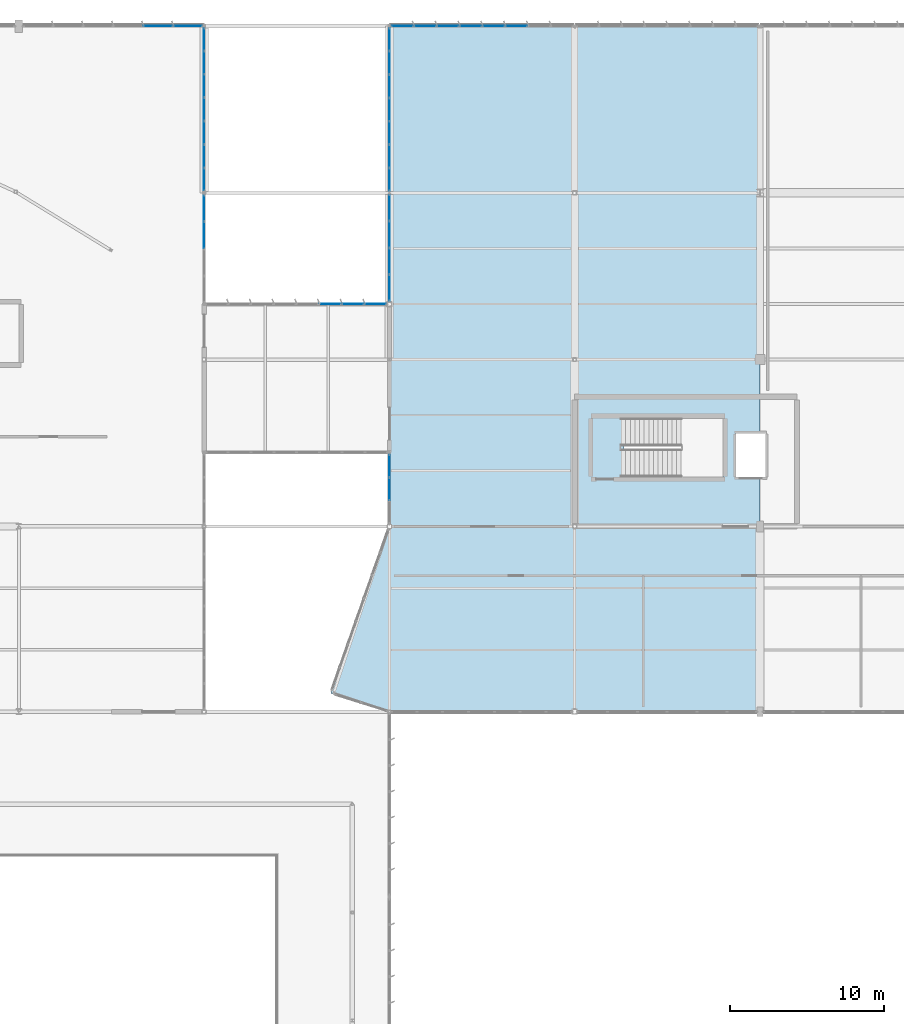
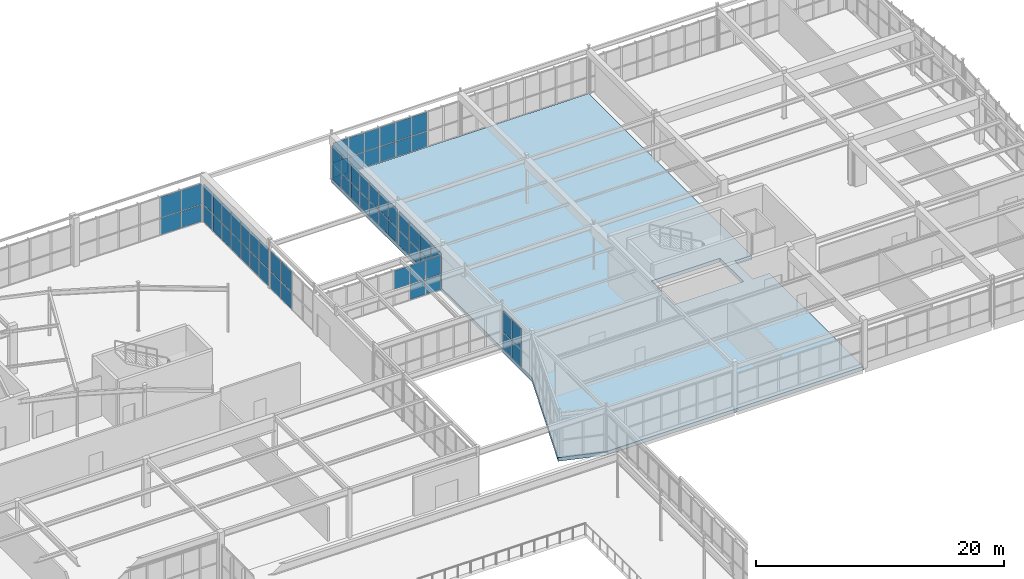
# One storey, part 126 of 186: 65 plates, 1 slab, 8 elements without a shape of their own.
"""IFC4 building model written with IfcOpenShell, lengths in metres."""

import ifcopenshell
import ifcopenshell.guid

model = None  # the IFC model being written
_history = None  # IfcOwnerHistory: only IFC2X3 demands one
_inside = {}  # id of a spatial element -> (the spatial element, [elements in it])
_under = {}  # id of a project, library or spatial element -> (it, [spatial elements below it])
_declared = {}  # id of a project -> (the project, [libraries it declares])
_typed = {}  # id of a type object -> (the type object, [elements of that type])
_made_of = {}  # id of a material, layer set ... -> (it, [elements and type objects made of it])


def new_model(schema):
    """Start an empty IFC model of exactly this schema.

    Asked for "IFC4X3", IfcOpenShell would pick the latest addendum, in which some entities
    have other attributes; the version numbers below select the first issue.
    IFC2X3 requires an IfcOwnerHistory on every rooted entity: one is made here for all.
    """
    global model, _history
    if schema == "IFC4X3":
        model = ifcopenshell.file(schema_version=(4, 3, 0, 0))
    else:
        model = ifcopenshell.file(schema=schema)
    _inside.clear()
    _under.clear()
    _declared.clear()
    _typed.clear()
    _made_of.clear()
    _history = None
    if model.schema == "IFC2X3":
        org = make("IfcOrganization", Name="unknown")
        user = make(
            "IfcPersonAndOrganization",
            ThePerson=make("IfcPerson", FamilyName="unknown"),
            TheOrganization=org,
        )
        app = make(
            "IfcApplication",
            ApplicationDeveloper=org,
            Version="unknown",
            ApplicationFullName="unknown",
            ApplicationIdentifier="unknown",
        )
        _history = make(
            "IfcOwnerHistory",
            OwningUser=user,
            OwningApplication=app,
            ChangeAction="ADDED",
            CreationDate=0,
        )
    return model


def make(cls, **values):
    """One entity of the class cls with the attributes given. An attribute that is None is left unset."""
    return model.create_entity(
        cls, **{name: value for name, value in values.items() if value is not None}
    )


def rooted(cls, **values):
    """An entity with a GlobalId (a new one), such as an element, a storey or a relation."""
    return make(cls, GlobalId=ifcopenshell.guid.new(), OwnerHistory=_history, **values)


def si_unit(unit_type, name, prefix=None):
    """IfcSIUnit, for example si_unit("LENGTHUNIT", "METRE", prefix="MILLI")."""
    return make("IfcSIUnit", UnitType=unit_type, Prefix=prefix, Name=name)


def assignment(units):
    """IfcUnitAssignment: the units of a project."""
    return None if units is None else make("IfcUnitAssignment", Units=units)


def point(xyz):
    """IfcCartesianPoint."""
    return None if xyz is None else make("IfcCartesianPoint", Coordinates=xyz)


def direction(xyz):
    """IfcDirection."""
    return None if xyz is None else make("IfcDirection", DirectionRatios=xyz)


def frame(location, z_axis=None, x_axis=None):
    """IfcAxis2Placement3D, a coordinate frame: its origin and axes. An axis left out is left unset."""
    return make(
        "IfcAxis2Placement3D",
        Location=point(location),
        Axis=direction(z_axis),
        RefDirection=direction(x_axis),
    )


def frame_2d(location, x_axis=None):
    """IfcAxis2Placement2D, a coordinate frame in the plane: its origin and x axis."""
    return make(
        "IfcAxis2Placement2D", Location=point(location), RefDirection=direction(x_axis)
    )


def origin():
    """The frame at (0, 0, 0) with its axes left unset."""
    return frame((0.0, 0.0, 0.0))


def origin_2d():
    """The frame at (0, 0) in the plane with its x axis left unset."""
    return frame_2d((0.0, 0.0))


def place(relative_to, where):
    """IfcLocalPlacement: puts the frame where relative to a parent placement (None: the world)."""
    return make(
        "IfcLocalPlacement", PlacementRelTo=relative_to, RelativePlacement=where
    )


def context(
    kind, dimensions, precision=None, world=None, true_north=None, identifier=None
):
    """IfcGeometricRepresentationContext, for example the 3D "Model" context."""
    return make(
        "IfcGeometricRepresentationContext",
        ContextIdentifier=identifier,
        ContextType=kind,
        CoordinateSpaceDimension=dimensions,
        Precision=precision,
        WorldCoordinateSystem=world,
        TrueNorth=true_north,
    )


def subcontext(parent, identifier, kind, view, scale=None):
    """IfcGeometricRepresentationSubContext, for example "Body" below "Model"."""
    return make(
        "IfcGeometricRepresentationSubContext",
        ContextIdentifier=identifier,
        ContextType=kind,
        ParentContext=parent,
        TargetScale=scale,
        TargetView=view,
    )


def project(units=None, contexts=None):
    """IfcProject with its units and contexts."""
    return rooted(
        "IfcProject",
        Name="project",
        RepresentationContexts=contexts,
        UnitsInContext=assignment(units),
    )


def spatial(cls, under=None, at=None, **own):
    """A site, building, storey or space (cls), placed at a placement, below another one or the project."""
    s = rooted(cls, ObjectPlacement=at, **own)
    if under is not None:
        _under.setdefault(under.id(), (under, []))[1].append(s)
    return s


def polyline(points):
    """IfcPolyline through the points."""
    return make("IfcPolyline", Points=[point(p) for p in points])


def profile(cls, at=None, kind="AREA", **sizes):
    """A parametric profile (cls). Its sizes go by their IFC names, for example OverallWidth=200.0."""
    return make(cls, ProfileType=kind, Position=at, **sizes)


def rectangle(**sizes):
    """IfcRectangleProfileDef."""
    return profile("IfcRectangleProfileDef", **sizes)


def outline(outer, holes=None, kind="AREA"):
    """IfcArbitraryClosedProfileDef: a profile drawn as a closed curve; with holes, ...WithVoids."""
    if holes is None:
        return make("IfcArbitraryClosedProfileDef", ProfileType=kind, OuterCurve=outer)
    return make(
        "IfcArbitraryProfileDefWithVoids",
        ProfileType=kind,
        OuterCurve=outer,
        InnerCurves=holes,
    )


def extrude(swept, where, along, depth):
    """IfcExtrudedAreaSolid: the profile swept, set in the frame where, extruded along a direction by depth."""
    return make(
        "IfcExtrudedAreaSolid",
        SweptArea=swept,
        Position=where,
        ExtrudedDirection=direction(along),
        Depth=depth,
    )


def shape(context_of_items, identifier, shape_type, items):
    """IfcShapeRepresentation: the items that make up one representation, for example the "Body"."""
    return make(
        "IfcShapeRepresentation",
        ContextOfItems=context_of_items,
        RepresentationIdentifier=identifier,
        RepresentationType=shape_type,
        Items=items,
    )


def material(Name=None, Category=None):
    """IfcMaterial."""
    return make("IfcMaterial", Name=Name, Category=Category)


def layer(
    of_material, thickness, ventilated=None, Name=None, Category=None, Priority=None
):
    """IfcMaterialLayer: one layer of a wall or slab, of a material (None: an air gap)."""
    return make(
        "IfcMaterialLayer",
        Material=of_material,
        LayerThickness=thickness,
        IsVentilated=ventilated,
        Name=Name,
        Category=Category,
        Priority=Priority,
    )


def layer_set(layers, Name=None):
    """IfcMaterialLayerSet."""
    return make("IfcMaterialLayerSet", MaterialLayers=layers, LayerSetName=Name)


def made_of(thing, what):
    """Note that an element or type object is made of a material, layer set ...; save() writes the relation."""
    if what is not None:
        _made_of.setdefault(what.id(), (what, []))[1].append(thing)
    return thing


def type_object(cls, material=None, **own):
    """A type object (cls), such as IfcWallType, which elements share."""
    return made_of(rooted(cls, **own), material)


def element(
    cls,
    number,
    at=None,
    inside=None,
    cuts=None,
    type_object=None,
    material=None,
    context=None,
    identifier="Body",
    shape_type=None,
    held_by="IfcProductDefinitionShape",
    body=None,
    shapes=None,
    **own,
):
    """One element of the class cls, such as IfcWall. Its Tag is "e" and its number.

    at: its placement. inside: the storey or other place that contains it. cuts: it is an
    opening in that element (IfcRelVoidsElement). A single representation is given by context,
    identifier, shape_type and body (its items); several are given by shapes. held_by: the class
    of the entity that holds the representations. save() writes the other relations.
    """
    e = rooted(cls, Tag="e%d" % number, ObjectPlacement=at, **own)
    if body is not None:
        shapes = [shape(context, identifier, shape_type, body)]
    if shapes is not None:
        e.Representation = make(held_by, Representations=shapes)
    if inside is not None:
        _inside.setdefault(inside.id(), (inside, []))[1].append(e)
    if cuts is not None:
        rooted(
            "IfcRelVoidsElement", RelatingBuildingElement=cuts, RelatedOpeningElement=e
        )
    if type_object is not None:
        _typed.setdefault(type_object.id(), (type_object, []))[1].append(e)
    return made_of(e, material)


def aggregate(whole, parts):
    """IfcRelAggregates: a whole, such as a stair, and the parts it consists of."""
    return rooted("IfcRelAggregates", RelatingObject=whole, RelatedObjects=parts)


def save(model, path):
    """Write the relations noted so far, then the file.

    IfcRelAggregates (storeys below a building ...), IfcRelContainedInSpatialStructure (elements
    in a storey), IfcRelDefinesByType, IfcRelAssociatesMaterial and IfcRelDeclares: one each for
    every whole, place, type object, material and project.
    """
    for whole, parts in _under.values():
        aggregate(whole, parts)
    for where, things in _inside.values():
        rooted(
            "IfcRelContainedInSpatialStructure",
            RelatedElements=things,
            RelatingStructure=where,
        )
    for kind, things in _typed.values():
        rooted("IfcRelDefinesByType", RelatedObjects=things, RelatingType=kind)
    for what, things in _made_of.values():
        rooted("IfcRelAssociatesMaterial", RelatedObjects=things, RelatingMaterial=what)
    for by, libraries in _declared.values():
        rooted("IfcRelDeclares", RelatingContext=by, RelatedDefinitions=libraries)
    model.write(path)


model = new_model("IFC4")

# Units and contexts
model_context = context("Model", 3, precision=1e-05, world=origin(), true_north=direction((0.0, 1.0)))
body_context = subcontext(model_context, "Body", "Model", "MODEL_VIEW")
ifc_project = project(units=[si_unit("LENGTHUNIT", "METRE"), si_unit("AREAUNIT", "SQUARE_METRE"), si_unit("VOLUMEUNIT", "CUBIC_METRE"), si_unit("PLANEANGLEUNIT", "RADIAN"), si_unit("MASSUNIT", "GRAM", prefix="KILO")], contexts=[model_context])

# Site, building, storey
site_placement = place(None, origin())
site = spatial("IfcSite", under=ifc_project, at=site_placement, CompositionType="ELEMENT")
building_placement = place(site_placement, origin())
building = spatial("IfcBuilding", under=site, at=building_placement, Name="Tarnwether General Hospital", CompositionType="ELEMENT")
storey_placement = place(building_placement, frame((0.0, 0.0, 9.60009765625)))
storey = spatial("IfcBuildingStorey", under=building, at=storey_placement, Name="L02", CompositionType="ELEMENT", Elevation=9.60009765625)

# Curtain wall, plates
ifc_material_1 = material(Name="Anodised aluminium", Category="aluminium")
ifc_layer_1 = layer(ifc_material_1, 0.159912109375)
ifc_layer_set_1 = layer_set([ifc_layer_1], Name="Anodised aluminium")
curtain_wall_type_1 = type_object("IfcCurtainWallType", Name="CW-17", PredefinedType="NOTDEFINED", material=ifc_layer_set_1)
curtain_wall_1_placement = place(storey_placement, origin())
curtain_wall_1 = element("IfcCurtainWall", 1, at=curtain_wall_1_placement, inside=storey, type_object=curtain_wall_type_1, Name="Curtain Wall CWG-L02-1203_1260-0408", PredefinedType="NOTDEFINED")
ifc_material_2 = material(Name="Double glazed low-E glass", Category="glass")
ifc_layer_2 = layer(ifc_material_2, 0.028076171875)
ifc_layer_set_2 = layer_set([ifc_layer_2], Name="Double glazed low-E glass")
plate_type = type_object("IfcPlateType", Name="PT-CWP1", PredefinedType="CURTAIN_PANEL", material=ifc_layer_set_2)
plate_1_placement = place(storey_placement, frame((129.002197265625, 126.0, 0.059814453125), z_axis=(0.0, 0.0, 1.0), x_axis=(1.0, 0.0, 0.0)))
plate_1 = element("IfcPlate", 2, at=plate_1_placement, type_object=plate_type, Name="CW-17 panel 5.1", PredefinedType="CURTAIN_PANEL", context=body_context, shape_type="SweptSolid", body=[
    extrude(rectangle(XDim=1.883056640625, YDim=0.028076171875, at=origin_2d()), origin(), (0.0, 0.0, 1.0), 1.6357421875),
])
plate_2_placement = place(storey_placement, frame((129.002197265625, 126.0, 1.75537109375), z_axis=(0.0, 0.0, 1.0), x_axis=(1.0, 0.0, 0.0)))
plate_2 = element("IfcPlate", 3, at=plate_2_placement, type_object=plate_type, Name="CW-17 panel 5.2", PredefinedType="CURTAIN_PANEL", context=body_context, shape_type="SweptSolid", body=[
    extrude(rectangle(XDim=1.883056640625, YDim=0.028076171875, at=origin_2d()), origin(), (0.0, 0.0, 1.0), 2.019287109375),
])
plate_3_placement = place(storey_placement, frame((130.930419921875, 126.0, 0.059814453125), z_axis=(0.0, 0.0, 1.0), x_axis=(1.0, 0.0, 0.0)))
plate_3 = element("IfcPlate", 4, at=plate_3_placement, type_object=plate_type, Name="CW-17 panel 6.1", PredefinedType="CURTAIN_PANEL", context=body_context, shape_type="SweptSolid", body=[
    extrude(rectangle(XDim=1.853271484375, YDim=0.028076171875, at=origin_2d()), origin(), (0.0, 0.0, 1.0), 1.6357421875),
])
plate_4_placement = place(storey_placement, frame((130.930419921875, 126.0, 1.75537109375), z_axis=(0.0, 0.0, 1.0), x_axis=(1.0, 0.0, 0.0)))
plate_4 = element("IfcPlate", 5, at=plate_4_placement, type_object=plate_type, Name="CW-17 panel 6.2", PredefinedType="CURTAIN_PANEL", context=body_context, shape_type="SweptSolid", body=[
    extrude(rectangle(XDim=1.853271484375, YDim=0.028076171875, at=origin_2d()), origin(), (0.0, 0.0, 1.0), 2.019287109375),
])
aggregate(curtain_wall_1, [plate_1, plate_2, plate_3, plate_4])

ifc_material_3 = material(Name="Anodised aluminium", Category="aluminium")
ifc_layer_3 = layer(ifc_material_3, 0.159912109375)
ifc_layer_set_3 = layer_set([ifc_layer_3], Name="Anodised aluminium")
curtain_wall_type_2 = type_object("IfcCurtainWallType", Name="CW-15", PredefinedType="NOTDEFINED", material=ifc_layer_set_3)
curtain_wall_2_placement = place(storey_placement, origin())
curtain_wall_2 = element("IfcCurtainWall", 6, at=curtain_wall_2_placement, inside=storey, type_object=curtain_wall_type_2, Name="Curtain Wall CWG-L02-1440_938-0447", PredefinedType="NOTDEFINED")
plate_5_placement = place(storey_placement, frame((144.0, 96.0224609375, 0.059814453125), z_axis=(0.0, 0.0, 1.0), x_axis=(0.0, 1.0, 0.0)))
plate_5 = element("IfcPlate", 7, at=plate_5_placement, type_object=plate_type, Name="CW-15 panel 2.1", PredefinedType="CURTAIN_PANEL", context=body_context, shape_type="SweptSolid", body=[
    extrude(rectangle(XDim=1.44970703125, YDim=0.028076171875, at=origin_2d()), origin(), (0.0, 0.0, 1.0), 1.6484375),
])
plate_6_placement = place(storey_placement, frame((144.0, 96.0224609375, 1.768310546875), z_axis=(0.0, 0.0, 1.0), x_axis=(0.0, 1.0, 0.0)))
plate_6 = element("IfcPlate", 8, at=plate_6_placement, type_object=plate_type, Name="CW-15 panel 2.2", PredefinedType="CURTAIN_PANEL", context=body_context, shape_type="SweptSolid", body=[
    extrude(rectangle(XDim=1.44970703125, YDim=0.028076171875, at=origin_2d()), origin(), (0.0, 0.0, 1.0), 2.03466796875),
])
plate_7_placement = place(storey_placement, frame((144.0, 97.51708984375, 0.059814453125), z_axis=(0.0, 0.0, 1.0), x_axis=(0.0, 1.0, 0.0)))
plate_7 = element("IfcPlate", 9, at=plate_7_placement, type_object=plate_type, Name="CW-15 panel 3.1", PredefinedType="CURTAIN_PANEL", context=body_context, shape_type="SweptSolid", body=[
    extrude(rectangle(XDim=1.419677734375, YDim=0.028076171875, at=origin_2d()), origin(), (0.0, 0.0, 1.0), 1.6484375),
])
plate_8_placement = place(storey_placement, frame((144.0, 97.51708984375, 1.768310546875), z_axis=(0.0, 0.0, 1.0), x_axis=(0.0, 1.0, 0.0)))
plate_8 = element("IfcPlate", 10, at=plate_8_placement, type_object=plate_type, Name="CW-15 panel 3.2", PredefinedType="CURTAIN_PANEL", context=body_context, shape_type="SweptSolid", body=[
    extrude(rectangle(XDim=1.419677734375, YDim=0.028076171875, at=origin_2d()), origin(), (0.0, 0.0, 1.0), 2.03466796875),
])
aggregate(curtain_wall_2, [plate_5, plate_6, plate_7, plate_8])

curtain_wall_3_placement = place(storey_placement, origin())
curtain_wall_3 = element("IfcCurtainWall", 11, at=curtain_wall_3_placement, inside=storey, type_object=curtain_wall_type_2, Name="Curtain Wall CWG-L02-1320_1259-0448", PredefinedType="NOTDEFINED")
plate_9_placement = place(storey_placement, frame((132.0, 125.144287109375, 0.059814453125), z_axis=(0.0, 0.0, 1.0), x_axis=(0.0, -1.0, 0.0)))
plate_9 = element("IfcPlate", 12, at=plate_9_placement, type_object=plate_type, Name="CW-15 panel 1.1", PredefinedType="CURTAIN_PANEL", context=body_context, shape_type="SweptSolid", body=[
    extrude(rectangle(XDim=1.425537109375, YDim=0.028076171875, at=origin_2d()), origin(), (0.0, 0.0, 1.0), 1.6357421875),
])
plate_10_placement = place(storey_placement, frame((132.0, 125.144287109375, 1.75537109375), z_axis=(0.0, 0.0, 1.0), x_axis=(0.0, -1.0, 0.0)))
plate_10 = element("IfcPlate", 13, at=plate_10_placement, type_object=plate_type, Name="CW-15 panel 1.2", PredefinedType="CURTAIN_PANEL", context=body_context, shape_type="SweptSolid", body=[
    extrude(rectangle(XDim=1.425537109375, YDim=0.028076171875, at=origin_2d()), origin(), (0.0, 0.0, 1.0), 2.019287109375),
])
plate_11_placement = place(storey_placement, frame((132.0, 123.6435546875, 0.059814453125), z_axis=(0.0, 0.0, 1.0), x_axis=(0.0, -1.0, 0.0)))
plate_11 = element("IfcPlate", 14, at=plate_11_placement, type_object=plate_type, Name="CW-15 panel 2.1", PredefinedType="CURTAIN_PANEL", context=body_context, shape_type="SweptSolid", body=[
    extrude(rectangle(XDim=1.45556640625, YDim=0.028076171875, at=origin_2d()), origin(), (0.0, 0.0, 1.0), 1.6357421875),
])
plate_12_placement = place(storey_placement, frame((132.0, 123.6435546875, 1.75537109375), z_axis=(0.0, 0.0, 1.0), x_axis=(0.0, -1.0, 0.0)))
plate_12 = element("IfcPlate", 15, at=plate_12_placement, type_object=plate_type, Name="CW-15 panel 2.2", PredefinedType="CURTAIN_PANEL", context=body_context, shape_type="SweptSolid", body=[
    extrude(rectangle(XDim=1.45556640625, YDim=0.028076171875, at=origin_2d()), origin(), (0.0, 0.0, 1.0), 2.019287109375),
])
plate_13_placement = place(storey_placement, frame((132.0, 122.128173828125, 0.059814453125), z_axis=(0.0, 0.0, 1.0), x_axis=(0.0, -1.0, 0.0)))
plate_13 = element("IfcPlate", 16, at=plate_13_placement, type_object=plate_type, Name="CW-15 panel 3.1", PredefinedType="CURTAIN_PANEL", context=body_context, shape_type="SweptSolid", body=[
    extrude(rectangle(XDim=1.45556640625, YDim=0.028076171875, at=origin_2d()), origin(), (0.0, 0.0, 1.0), 1.6357421875),
])
plate_14_placement = place(storey_placement, frame((132.0, 122.128173828125, 1.75537109375), z_axis=(0.0, 0.0, 1.0), x_axis=(0.0, -1.0, 0.0)))
plate_14 = element("IfcPlate", 17, at=plate_14_placement, type_object=plate_type, Name="CW-15 panel 3.2", PredefinedType="CURTAIN_PANEL", context=body_context, shape_type="SweptSolid", body=[
    extrude(rectangle(XDim=1.45556640625, YDim=0.028076171875, at=origin_2d()), origin(), (0.0, 0.0, 1.0), 2.019287109375),
])
plate_15_placement = place(storey_placement, frame((132.0, 120.612548828125, 0.059814453125), z_axis=(0.0, 0.0, 1.0), x_axis=(0.0, -1.0, 0.0)))
plate_15 = element("IfcPlate", 18, at=plate_15_placement, type_object=plate_type, Name="CW-15 panel 4.1", PredefinedType="CURTAIN_PANEL", context=body_context, shape_type="SweptSolid", body=[
    extrude(rectangle(XDim=1.45556640625, YDim=0.028076171875, at=origin_2d()), origin(), (0.0, 0.0, 1.0), 1.6357421875),
])
plate_16_placement = place(storey_placement, frame((132.0, 120.612548828125, 1.75537109375), z_axis=(0.0, 0.0, 1.0), x_axis=(0.0, -1.0, 0.0)))
plate_16 = element("IfcPlate", 19, at=plate_16_placement, type_object=plate_type, Name="CW-15 panel 4.2", PredefinedType="CURTAIN_PANEL", context=body_context, shape_type="SweptSolid", body=[
    extrude(rectangle(XDim=1.45556640625, YDim=0.028076171875, at=origin_2d()), origin(), (0.0, 0.0, 1.0), 2.019287109375),
])
plate_17_placement = place(storey_placement, frame((132.0, 119.096923828125, 0.059814453125), z_axis=(0.0, 0.0, 1.0), x_axis=(0.0, -1.0, 0.0)))
plate_17 = element("IfcPlate", 20, at=plate_17_placement, type_object=plate_type, Name="CW-15 panel 5.1", PredefinedType="CURTAIN_PANEL", context=body_context, shape_type="SweptSolid", body=[
    extrude(rectangle(XDim=1.45556640625, YDim=0.028076171875, at=origin_2d()), origin(), (0.0, 0.0, 1.0), 1.6357421875),
])
plate_18_placement = place(storey_placement, frame((132.0, 119.096923828125, 1.75537109375), z_axis=(0.0, 0.0, 1.0), x_axis=(0.0, -1.0, 0.0)))
plate_18 = element("IfcPlate", 21, at=plate_18_placement, type_object=plate_type, Name="CW-15 panel 5.2", PredefinedType="CURTAIN_PANEL", context=body_context, shape_type="SweptSolid", body=[
    extrude(rectangle(XDim=1.45556640625, YDim=0.028076171875, at=origin_2d()), origin(), (0.0, 0.0, 1.0), 2.019287109375),
])
plate_19_placement = place(storey_placement, frame((132.0, 117.581298828125, 0.059814453125), z_axis=(0.0, 0.0, 1.0), x_axis=(0.0, -1.0, 0.0)))
plate_19 = element("IfcPlate", 22, at=plate_19_placement, type_object=plate_type, Name="CW-15 panel 6.1", PredefinedType="CURTAIN_PANEL", context=body_context, shape_type="SweptSolid", body=[
    extrude(rectangle(XDim=1.45556640625, YDim=0.028076171875, at=origin_2d()), origin(), (0.0, 0.0, 1.0), 1.6357421875),
])
plate_20_placement = place(storey_placement, frame((132.0, 117.581298828125, 1.75537109375), z_axis=(0.0, 0.0, 1.0), x_axis=(0.0, -1.0, 0.0)))
plate_20 = element("IfcPlate", 23, at=plate_20_placement, type_object=plate_type, Name="CW-15 panel 6.2", PredefinedType="CURTAIN_PANEL", context=body_context, shape_type="SweptSolid", body=[
    extrude(rectangle(XDim=1.45556640625, YDim=0.028076171875, at=origin_2d()), origin(), (0.0, 0.0, 1.0), 2.019287109375),
])
plate_21_placement = place(storey_placement, frame((132.0, 116.080810546875, 0.059814453125), z_axis=(0.0, 0.0, 1.0), x_axis=(0.0, -1.0, 0.0)))
plate_21 = element("IfcPlate", 24, at=plate_21_placement, type_object=plate_type, Name="CW-15 panel 7.1", PredefinedType="CURTAIN_PANEL", context=body_context, shape_type="SweptSolid", body=[
    extrude(rectangle(XDim=1.425537109375, YDim=0.028076171875, at=origin_2d()), origin(), (0.0, 0.0, 1.0), 1.6357421875),
])
plate_22_placement = place(storey_placement, frame((132.0, 116.080810546875, 1.75537109375), z_axis=(0.0, 0.0, 1.0), x_axis=(0.0, -1.0, 0.0)))
plate_22 = element("IfcPlate", 25, at=plate_22_placement, type_object=plate_type, Name="CW-15 panel 7.2", PredefinedType="CURTAIN_PANEL", context=body_context, shape_type="SweptSolid", body=[
    extrude(rectangle(XDim=1.425537109375, YDim=0.028076171875, at=origin_2d()), origin(), (0.0, 0.0, 1.0), 2.019287109375),
])
aggregate(curtain_wall_3, [plate_9, plate_10, plate_11, plate_12, plate_13, plate_14, plate_15, plate_16, plate_17, plate_18, plate_19, plate_20, plate_21, plate_22])

curtain_wall_4_placement = place(storey_placement, origin())
curtain_wall_4 = element("IfcCurtainWall", 26, at=curtain_wall_4_placement, inside=storey, type_object=curtain_wall_type_2, Name="Curtain Wall CWG-L02-1320_1151-0449", PredefinedType="NOTDEFINED")
plate_23_placement = place(storey_placement, frame((132.0, 114.19921875, 0.059814453125), z_axis=(0.0, 0.0, 1.0), x_axis=(0.0, -1.0, 0.0)))
plate_23 = element("IfcPlate", 27, at=plate_23_placement, type_object=plate_type, Name="CW-15 panel 1.1", PredefinedType="CURTAIN_PANEL", context=body_context, shape_type="SweptSolid", body=[
    extrude(rectangle(XDim=1.66552734375, YDim=0.028076171875, at=origin_2d()), origin(), (0.0, 0.0, 1.0), 1.6357421875),
])
plate_24_placement = place(storey_placement, frame((132.0, 114.19921875, 1.75537109375), z_axis=(0.0, 0.0, 1.0), x_axis=(0.0, -1.0, 0.0)))
plate_24 = element("IfcPlate", 28, at=plate_24_placement, type_object=plate_type, Name="CW-15 panel 1.2", PredefinedType="CURTAIN_PANEL", context=body_context, shape_type="SweptSolid", body=[
    extrude(rectangle(XDim=1.66552734375, YDim=0.028076171875, at=origin_2d()), origin(), (0.0, 0.0, 1.0), 2.019287109375),
])
plate_25_placement = place(storey_placement, frame((132.0, 112.458740234375, 0.059814453125), z_axis=(0.0, 0.0, 1.0), x_axis=(0.0, -1.0, 0.0)))
plate_25 = element("IfcPlate", 29, at=plate_25_placement, type_object=plate_type, Name="CW-15 panel 2.1", PredefinedType="CURTAIN_PANEL", context=body_context, shape_type="SweptSolid", body=[
    extrude(rectangle(XDim=1.695556640625, YDim=0.028076171875, at=origin_2d()), origin(), (0.0, 0.0, 1.0), 1.6357421875),
])
plate_26_placement = place(storey_placement, frame((132.0, 112.458740234375, 1.75537109375), z_axis=(0.0, 0.0, 1.0), x_axis=(0.0, -1.0, 0.0)))
plate_26 = element("IfcPlate", 30, at=plate_26_placement, type_object=plate_type, Name="CW-15 panel 2.2", PredefinedType="CURTAIN_PANEL", context=body_context, shape_type="SweptSolid", body=[
    extrude(rectangle(XDim=1.695556640625, YDim=0.028076171875, at=origin_2d()), origin(), (0.0, 0.0, 1.0), 2.019287109375),
])
aggregate(curtain_wall_4, [plate_23, plate_24, plate_25, plate_26])

curtain_wall_5_placement = place(storey_placement, origin())
curtain_wall_5 = element("IfcCurtainWall", 31, at=curtain_wall_5_placement, inside=storey, type_object=curtain_wall_type_2, Name="Curtain Wall CWG-L02-1440_1082-0450", PredefinedType="NOTDEFINED")
plate_27_placement = place(storey_placement, frame((144.0, 109.05322265625, 0.059814453125), z_axis=(0.0, 0.0, 1.0), x_axis=(0.0, 1.0, 0.0)))
plate_27 = element("IfcPlate", 32, at=plate_27_placement, type_object=plate_type, Name="CW-15 panel 1.1", PredefinedType="CURTAIN_PANEL", context=body_context, shape_type="SweptSolid", body=[
    extrude(rectangle(XDim=1.646484375, YDim=0.028076171875, at=origin_2d()), origin(), (0.0, 0.0, 1.0), 1.47607421875),
])
plate_28_placement = place(storey_placement, frame((144.0, 109.05322265625, 1.595703125), z_axis=(0.0, 0.0, 1.0), x_axis=(0.0, 1.0, 0.0)))
plate_28 = element("IfcPlate", 33, at=plate_28_placement, type_object=plate_type, Name="CW-15 panel 1.2", PredefinedType="CURTAIN_PANEL", context=body_context, shape_type="SweptSolid", body=[
    extrude(rectangle(XDim=1.646484375, YDim=0.028076171875, at=origin_2d()), origin(), (0.0, 0.0, 1.0), 1.823974609375),
])
plate_29_placement = place(storey_placement, frame((144.0, 110.774658203125, 0.059814453125), z_axis=(0.0, 0.0, 1.0), x_axis=(0.0, 1.0, 0.0)))
plate_29 = element("IfcPlate", 34, at=plate_29_placement, type_object=plate_type, Name="CW-15 panel 2.1", PredefinedType="CURTAIN_PANEL", context=body_context, shape_type="SweptSolid", body=[
    extrude(rectangle(XDim=1.676513671875, YDim=0.028076171875, at=origin_2d()), origin(), (0.0, 0.0, 1.0), 1.47607421875),
])
plate_30_placement = place(storey_placement, frame((144.0, 110.774658203125, 1.595703125), z_axis=(0.0, 0.0, 1.0), x_axis=(0.0, 1.0, 0.0)))
plate_30 = element("IfcPlate", 35, at=plate_30_placement, type_object=plate_type, Name="CW-15 panel 2.2", PredefinedType="CURTAIN_PANEL", context=body_context, shape_type="SweptSolid", body=[
    extrude(rectangle(XDim=1.676513671875, YDim=0.028076171875, at=origin_2d()), origin(), (0.0, 0.0, 1.0), 1.823974609375),
])
plate_31_placement = place(storey_placement, frame((144.0, 112.51123046875, 0.059814453125), z_axis=(0.0, 0.0, 1.0), x_axis=(0.0, 1.0, 0.0)))
plate_31 = element("IfcPlate", 36, at=plate_31_placement, type_object=plate_type, Name="CW-15 panel 3.1", PredefinedType="CURTAIN_PANEL", context=body_context, shape_type="SweptSolid", body=[
    extrude(rectangle(XDim=1.676513671875, YDim=0.028076171875, at=origin_2d()), origin(), (0.0, 0.0, 1.0), 1.47607421875),
])
plate_32_placement = place(storey_placement, frame((144.0, 112.51123046875, 1.595703125), z_axis=(0.0, 0.0, 1.0), x_axis=(0.0, 1.0, 0.0)))
plate_32 = element("IfcPlate", 37, at=plate_32_placement, type_object=plate_type, Name="CW-15 panel 3.2", PredefinedType="CURTAIN_PANEL", context=body_context, shape_type="SweptSolid", body=[
    extrude(rectangle(XDim=1.676513671875, YDim=0.028076171875, at=origin_2d()), origin(), (0.0, 0.0, 1.0), 1.823974609375),
])
plate_33_placement = place(storey_placement, frame((144.0, 114.232666015625, 0.059814453125), z_axis=(0.0, 0.0, 1.0), x_axis=(0.0, 1.0, 0.0)))
plate_33 = element("IfcPlate", 38, at=plate_33_placement, type_object=plate_type, Name="CW-15 panel 4.1", PredefinedType="CURTAIN_PANEL", context=body_context, shape_type="SweptSolid", body=[
    extrude(rectangle(XDim=1.646484375, YDim=0.028076171875, at=origin_2d()), origin(), (0.0, 0.0, 1.0), 1.47607421875),
])
plate_34_placement = place(storey_placement, frame((144.0, 114.232666015625, 1.595703125), z_axis=(0.0, 0.0, 1.0), x_axis=(0.0, 1.0, 0.0)))
plate_34 = element("IfcPlate", 39, at=plate_34_placement, type_object=plate_type, Name="CW-15 panel 4.2", PredefinedType="CURTAIN_PANEL", context=body_context, shape_type="SweptSolid", body=[
    extrude(rectangle(XDim=1.646484375, YDim=0.028076171875, at=origin_2d()), origin(), (0.0, 0.0, 1.0), 1.823974609375),
])
aggregate(curtain_wall_5, [plate_27, plate_28, plate_29, plate_30, plate_31, plate_32, plate_33, plate_34])

curtain_wall_6_placement = place(storey_placement, origin())
curtain_wall_6 = element("IfcCurtainWall", 40, at=curtain_wall_6_placement, inside=storey, type_object=curtain_wall_type_2, Name="Curtain Wall CWG-L02-1440_1153-0451", PredefinedType="NOTDEFINED")
plate_35_placement = place(storey_placement, frame((144.0, 116.05859375, 0.059814453125), z_axis=(0.0, 0.0, 1.0), x_axis=(0.0, 1.0, 0.0)))
plate_35 = element("IfcPlate", 41, at=plate_35_placement, type_object=plate_type, Name="CW-15 panel 1.1", PredefinedType="CURTAIN_PANEL", context=body_context, shape_type="SweptSolid", body=[
    extrude(rectangle(XDim=1.428955078125, YDim=0.028076171875, at=origin_2d()), origin(), (0.0, 0.0, 1.0), 1.47607421875),
])
plate_36_placement = place(storey_placement, frame((144.0, 116.05859375, 1.595703125), z_axis=(0.0, 0.0, 1.0), x_axis=(0.0, 1.0, 0.0)))
plate_36 = element("IfcPlate", 42, at=plate_36_placement, type_object=plate_type, Name="CW-15 panel 1.2", PredefinedType="CURTAIN_PANEL", context=body_context, shape_type="SweptSolid", body=[
    extrude(rectangle(XDim=1.428955078125, YDim=0.028076171875, at=origin_2d()), origin(), (0.0, 0.0, 1.0), 1.823974609375),
])
plate_37_placement = place(storey_placement, frame((144.0, 117.5625, 0.059814453125), z_axis=(0.0, 0.0, 1.0), x_axis=(0.0, 1.0, 0.0)))
plate_37 = element("IfcPlate", 43, at=plate_37_placement, type_object=plate_type, Name="CW-15 panel 2.1", PredefinedType="CURTAIN_PANEL", context=body_context, shape_type="SweptSolid", body=[
    extrude(rectangle(XDim=1.458984375, YDim=0.028076171875, at=origin_2d()), origin(), (0.0, 0.0, 1.0), 1.47607421875),
])
plate_38_placement = place(storey_placement, frame((144.0, 117.5625, 1.595703125), z_axis=(0.0, 0.0, 1.0), x_axis=(0.0, 1.0, 0.0)))
plate_38 = element("IfcPlate", 44, at=plate_38_placement, type_object=plate_type, Name="CW-15 panel 2.2", PredefinedType="CURTAIN_PANEL", context=body_context, shape_type="SweptSolid", body=[
    extrude(rectangle(XDim=1.458984375, YDim=0.028076171875, at=origin_2d()), origin(), (0.0, 0.0, 1.0), 1.823974609375),
])
plate_39_placement = place(storey_placement, frame((144.0, 119.08154296875, 0.059814453125), z_axis=(0.0, 0.0, 1.0), x_axis=(0.0, 1.0, 0.0)))
plate_39 = element("IfcPlate", 45, at=plate_39_placement, type_object=plate_type, Name="CW-15 panel 3.1", PredefinedType="CURTAIN_PANEL", context=body_context, shape_type="SweptSolid", body=[
    extrude(rectangle(XDim=1.458984375, YDim=0.028076171875, at=origin_2d()), origin(), (0.0, 0.0, 1.0), 1.47607421875),
])
plate_40_placement = place(storey_placement, frame((144.0, 119.08154296875, 1.595703125), z_axis=(0.0, 0.0, 1.0), x_axis=(0.0, 1.0, 0.0)))
plate_40 = element("IfcPlate", 46, at=plate_40_placement, type_object=plate_type, Name="CW-15 panel 3.2", PredefinedType="CURTAIN_PANEL", context=body_context, shape_type="SweptSolid", body=[
    extrude(rectangle(XDim=1.458984375, YDim=0.028076171875, at=origin_2d()), origin(), (0.0, 0.0, 1.0), 1.823974609375),
])
plate_41_placement = place(storey_placement, frame((144.0, 120.6005859375, 0.059814453125), z_axis=(0.0, 0.0, 1.0), x_axis=(0.0, 1.0, 0.0)))
plate_41 = element("IfcPlate", 47, at=plate_41_placement, type_object=plate_type, Name="CW-15 panel 4.1", PredefinedType="CURTAIN_PANEL", context=body_context, shape_type="SweptSolid", body=[
    extrude(rectangle(XDim=1.458984375, YDim=0.028076171875, at=origin_2d()), origin(), (0.0, 0.0, 1.0), 1.47607421875),
])
plate_42_placement = place(storey_placement, frame((144.0, 120.6005859375, 1.595703125), z_axis=(0.0, 0.0, 1.0), x_axis=(0.0, 1.0, 0.0)))
plate_42 = element("IfcPlate", 48, at=plate_42_placement, type_object=plate_type, Name="CW-15 panel 4.2", PredefinedType="CURTAIN_PANEL", context=body_context, shape_type="SweptSolid", body=[
    extrude(rectangle(XDim=1.458984375, YDim=0.028076171875, at=origin_2d()), origin(), (0.0, 0.0, 1.0), 1.823974609375),
])
plate_43_placement = place(storey_placement, frame((144.0, 122.119384765625, 0.059814453125), z_axis=(0.0, 0.0, 1.0), x_axis=(0.0, 1.0, 0.0)))
plate_43 = element("IfcPlate", 49, at=plate_43_placement, type_object=plate_type, Name="CW-15 panel 5.1", PredefinedType="CURTAIN_PANEL", context=body_context, shape_type="SweptSolid", body=[
    extrude(rectangle(XDim=1.458984375, YDim=0.028076171875, at=origin_2d()), origin(), (0.0, 0.0, 1.0), 1.47607421875),
])
plate_44_placement = place(storey_placement, frame((144.0, 122.119384765625, 1.595703125), z_axis=(0.0, 0.0, 1.0), x_axis=(0.0, 1.0, 0.0)))
plate_44 = element("IfcPlate", 50, at=plate_44_placement, type_object=plate_type, Name="CW-15 panel 5.2", PredefinedType="CURTAIN_PANEL", context=body_context, shape_type="SweptSolid", body=[
    extrude(rectangle(XDim=1.458984375, YDim=0.028076171875, at=origin_2d()), origin(), (0.0, 0.0, 1.0), 1.823974609375),
])
plate_45_placement = place(storey_placement, frame((144.0, 123.638427734375, 0.059814453125), z_axis=(0.0, 0.0, 1.0), x_axis=(0.0, 1.0, 0.0)))
plate_45 = element("IfcPlate", 51, at=plate_45_placement, type_object=plate_type, Name="CW-15 panel 6.1", PredefinedType="CURTAIN_PANEL", context=body_context, shape_type="SweptSolid", body=[
    extrude(rectangle(XDim=1.458984375, YDim=0.028076171875, at=origin_2d()), origin(), (0.0, 0.0, 1.0), 1.47607421875),
])
plate_46_placement = place(storey_placement, frame((144.0, 123.638427734375, 1.595703125), z_axis=(0.0, 0.0, 1.0), x_axis=(0.0, 1.0, 0.0)))
plate_46 = element("IfcPlate", 52, at=plate_46_placement, type_object=plate_type, Name="CW-15 panel 6.2", PredefinedType="CURTAIN_PANEL", context=body_context, shape_type="SweptSolid", body=[
    extrude(rectangle(XDim=1.458984375, YDim=0.028076171875, at=origin_2d()), origin(), (0.0, 0.0, 1.0), 1.823974609375),
])
plate_47_placement = place(storey_placement, frame((144.0, 125.142578125, 0.059814453125), z_axis=(0.0, 0.0, 1.0), x_axis=(0.0, 1.0, 0.0)))
plate_47 = element("IfcPlate", 53, at=plate_47_placement, type_object=plate_type, Name="CW-15 panel 7.1", PredefinedType="CURTAIN_PANEL", context=body_context, shape_type="SweptSolid", body=[
    extrude(rectangle(XDim=1.428955078125, YDim=0.028076171875, at=origin_2d()), origin(), (0.0, 0.0, 1.0), 1.47607421875),
])
plate_48_placement = place(storey_placement, frame((144.0, 125.142578125, 1.595703125), z_axis=(0.0, 0.0, 1.0), x_axis=(0.0, 1.0, 0.0)))
plate_48 = element("IfcPlate", 54, at=plate_48_placement, type_object=plate_type, Name="CW-15 panel 7.2", PredefinedType="CURTAIN_PANEL", context=body_context, shape_type="SweptSolid", body=[
    extrude(rectangle(XDim=1.428955078125, YDim=0.028076171875, at=origin_2d()), origin(), (0.0, 0.0, 1.0), 1.823974609375),
])
aggregate(curtain_wall_6, [plate_35, plate_36, plate_37, plate_38, plate_39, plate_40, plate_41, plate_42, plate_43, plate_44, plate_45, plate_46, plate_47, plate_48])

ifc_material_4 = material(Name="Anodised aluminium", Category="aluminium")
ifc_layer_4 = layer(ifc_material_4, 0.159912109375)
ifc_layer_set_4 = layer_set([ifc_layer_4], Name="Anodised aluminium")
curtain_wall_type_3 = type_object("IfcCurtainWallType", Name="CW-16", PredefinedType="NOTDEFINED", material=ifc_layer_set_4)
curtain_wall_7_placement = place(storey_placement, origin())
curtain_wall_7 = element("IfcCurtainWall", 55, at=curtain_wall_7_placement, inside=storey, type_object=curtain_wall_type_3, Name="Curtain Wall CWG-L02-1441_1260-0462", PredefinedType="NOTDEFINED")
plate_49_placement = place(storey_placement, frame((144.83740234375, 126.0, 0.059814453125), z_axis=(0.0, 0.0, 1.0), x_axis=(1.0, 0.0, 0.0)))
plate_49 = element("IfcPlate", 56, at=plate_49_placement, type_object=plate_type, Name="CW-16 panel 1.1", PredefinedType="CURTAIN_PANEL", context=body_context, shape_type="SweptSolid", body=[
    extrude(rectangle(XDim=1.388671875, YDim=0.028076171875, at=origin_2d()), origin(), (0.0, 0.0, 1.0), 1.49853515625),
])
plate_50_placement = place(storey_placement, frame((144.83740234375, 126.0, 1.618408203125), z_axis=(0.0, 0.0, 1.0), x_axis=(1.0, 0.0, 0.0)))
plate_50 = element("IfcPlate", 57, at=plate_50_placement, type_object=plate_type, Name="CW-16 panel 1.2", PredefinedType="CURTAIN_PANEL", context=body_context, shape_type="SweptSolid", body=[
    extrude(rectangle(XDim=1.388671875, YDim=0.028076171875, at=origin_2d()), origin(), (0.0, 0.0, 1.0), 1.8515625),
])
plate_51_placement = place(storey_placement, frame((146.301025390625, 126.0, 0.059814453125), z_axis=(0.0, 0.0, 1.0), x_axis=(1.0, 0.0, 0.0)))
plate_51 = element("IfcPlate", 58, at=plate_51_placement, type_object=plate_type, Name="CW-16 panel 2.1", PredefinedType="CURTAIN_PANEL", context=body_context, shape_type="SweptSolid", body=[
    extrude(rectangle(XDim=1.418701171875, YDim=0.028076171875, at=origin_2d()), origin(), (0.0, 0.0, 1.0), 1.49853515625),
])
plate_52_placement = place(storey_placement, frame((146.301025390625, 126.0, 1.618408203125), z_axis=(0.0, 0.0, 1.0), x_axis=(1.0, 0.0, 0.0)))
plate_52 = element("IfcPlate", 59, at=plate_52_placement, type_object=plate_type, Name="CW-16 panel 2.2", PredefinedType="CURTAIN_PANEL", context=body_context, shape_type="SweptSolid", body=[
    extrude(rectangle(XDim=1.418701171875, YDim=0.028076171875, at=origin_2d()), origin(), (0.0, 0.0, 1.0), 1.8515625),
])
plate_53_placement = place(storey_placement, frame((147.77978515625, 126.0, 0.059814453125), z_axis=(0.0, 0.0, 1.0), x_axis=(1.0, 0.0, 0.0)))
plate_53 = element("IfcPlate", 60, at=plate_53_placement, type_object=plate_type, Name="CW-16 panel 3.1", PredefinedType="CURTAIN_PANEL", context=body_context, shape_type="SweptSolid", body=[
    extrude(rectangle(XDim=1.418701171875, YDim=0.028076171875, at=origin_2d()), origin(), (0.0, 0.0, 1.0), 1.49853515625),
])
plate_54_placement = place(storey_placement, frame((147.77978515625, 126.0, 1.618408203125), z_axis=(0.0, 0.0, 1.0), x_axis=(1.0, 0.0, 0.0)))
plate_54 = element("IfcPlate", 61, at=plate_54_placement, type_object=plate_type, Name="CW-16 panel 3.2", PredefinedType="CURTAIN_PANEL", context=body_context, shape_type="SweptSolid", body=[
    extrude(rectangle(XDim=1.418701171875, YDim=0.028076171875, at=origin_2d()), origin(), (0.0, 0.0, 1.0), 1.8515625),
])
plate_55_placement = place(storey_placement, frame((149.258544921875, 126.0, 0.059814453125), z_axis=(0.0, 0.0, 1.0), x_axis=(1.0, 0.0, 0.0)))
plate_55 = element("IfcPlate", 62, at=plate_55_placement, type_object=plate_type, Name="CW-16 panel 4.1", PredefinedType="CURTAIN_PANEL", context=body_context, shape_type="SweptSolid", body=[
    extrude(rectangle(XDim=1.418701171875, YDim=0.028076171875, at=origin_2d()), origin(), (0.0, 0.0, 1.0), 1.49853515625),
])
plate_56_placement = place(storey_placement, frame((149.258544921875, 126.0, 1.618408203125), z_axis=(0.0, 0.0, 1.0), x_axis=(1.0, 0.0, 0.0)))
plate_56 = element("IfcPlate", 63, at=plate_56_placement, type_object=plate_type, Name="CW-16 panel 4.2", PredefinedType="CURTAIN_PANEL", context=body_context, shape_type="SweptSolid", body=[
    extrude(rectangle(XDim=1.418701171875, YDim=0.028076171875, at=origin_2d()), origin(), (0.0, 0.0, 1.0), 1.8515625),
])
plate_57_placement = place(storey_placement, frame((150.7373046875, 126.0, 0.059814453125), z_axis=(0.0, 0.0, 1.0), x_axis=(1.0, 0.0, 0.0)))
plate_57 = element("IfcPlate", 64, at=plate_57_placement, type_object=plate_type, Name="CW-16 panel 5.1", PredefinedType="CURTAIN_PANEL", context=body_context, shape_type="SweptSolid", body=[
    extrude(rectangle(XDim=1.418701171875, YDim=0.028076171875, at=origin_2d()), origin(), (0.0, 0.0, 1.0), 1.49853515625),
])
plate_58_placement = place(storey_placement, frame((150.7373046875, 126.0, 1.618408203125), z_axis=(0.0, 0.0, 1.0), x_axis=(1.0, 0.0, 0.0)))
plate_58 = element("IfcPlate", 65, at=plate_58_placement, type_object=plate_type, Name="CW-16 panel 5.2", PredefinedType="CURTAIN_PANEL", context=body_context, shape_type="SweptSolid", body=[
    extrude(rectangle(XDim=1.418701171875, YDim=0.028076171875, at=origin_2d()), origin(), (0.0, 0.0, 1.0), 1.8515625),
])
plate_59_placement = place(storey_placement, frame((152.216064453125, 126.0, 0.059814453125), z_axis=(0.0, 0.0, 1.0), x_axis=(1.0, 0.0, 0.0)))
plate_59 = element("IfcPlate", 66, at=plate_59_placement, type_object=plate_type, Name="CW-16 panel 6.1", PredefinedType="CURTAIN_PANEL", context=body_context, shape_type="SweptSolid", body=[
    extrude(rectangle(XDim=1.418701171875, YDim=0.028076171875, at=origin_2d()), origin(), (0.0, 0.0, 1.0), 1.49853515625),
])
plate_60_placement = place(storey_placement, frame((152.216064453125, 126.0, 1.618408203125), z_axis=(0.0, 0.0, 1.0), x_axis=(1.0, 0.0, 0.0)))
plate_60 = element("IfcPlate", 67, at=plate_60_placement, type_object=plate_type, Name="CW-16 panel 6.2", PredefinedType="CURTAIN_PANEL", context=body_context, shape_type="SweptSolid", body=[
    extrude(rectangle(XDim=1.418701171875, YDim=0.028076171875, at=origin_2d()), origin(), (0.0, 0.0, 1.0), 1.8515625),
])
aggregate(curtain_wall_7, [plate_49, plate_50, plate_51, plate_52, plate_53, plate_54, plate_55, plate_56, plate_57, plate_58, plate_59, plate_60])

ifc_material_5 = material(Name="Anodised aluminium", Category="aluminium")
ifc_layer_5 = layer(ifc_material_5, 0.159912109375)
ifc_layer_set_5 = layer_set([ifc_layer_5], Name="Anodised aluminium")
curtain_wall_type_4 = type_object("IfcCurtainWallType", Name="CW-21", PredefinedType="NOTDEFINED", material=ifc_layer_set_5)
curtain_wall_8_placement = place(storey_placement, origin())
curtain_wall_8 = element("IfcCurtainWall", 68, at=curtain_wall_8_placement, inside=storey, type_object=curtain_wall_type_4, Name="Curtain Wall CWG-L02-1321_1080-0474", PredefinedType="NOTDEFINED")
plate_61_placement = place(storey_placement, frame((140.1552734375, 108.0, 1.595703125), z_axis=(0.0, 0.0, 1.0), x_axis=(1.0, 0.0, 0.0)))
plate_61 = element("IfcPlate", 69, at=plate_61_placement, type_object=plate_type, Name="CW-21 panel 6.2", PredefinedType="CURTAIN_PANEL", context=body_context, shape_type="SweptSolid", body=[
    extrude(rectangle(XDim=1.409912109375, YDim=0.028076171875, at=origin_2d()), origin(), (0.0, 0.0, 1.0), 1.823974609375),
])
plate_62_placement = place(storey_placement, frame((141.625244140625, 108.0, 0.059814453125), z_axis=(0.0, 0.0, 1.0), x_axis=(1.0, 0.0, 0.0)))
plate_62 = element("IfcPlate", 70, at=plate_62_placement, type_object=plate_type, Name="CW-21 panel 7.1", PredefinedType="CURTAIN_PANEL", context=body_context, shape_type="SweptSolid", body=[
    extrude(rectangle(XDim=1.409912109375, YDim=0.028076171875, at=origin_2d()), origin(), (0.0, 0.0, 1.0), 1.47607421875),
])
plate_63_placement = place(storey_placement, frame((141.625244140625, 108.0, 1.595703125), z_axis=(0.0, 0.0, 1.0), x_axis=(1.0, 0.0, 0.0)))
plate_63 = element("IfcPlate", 71, at=plate_63_placement, type_object=plate_type, Name="CW-21 panel 7.2", PredefinedType="CURTAIN_PANEL", context=body_context, shape_type="SweptSolid", body=[
    extrude(rectangle(XDim=1.409912109375, YDim=0.028076171875, at=origin_2d()), origin(), (0.0, 0.0, 1.0), 1.823974609375),
])
plate_64_placement = place(storey_placement, frame((143.080078125, 108.0, 0.059814453125), z_axis=(0.0, 0.0, 1.0), x_axis=(1.0, 0.0, 0.0)))
plate_64 = element("IfcPlate", 72, at=plate_64_placement, type_object=plate_type, Name="CW-21 panel 8.1", PredefinedType="CURTAIN_PANEL", context=body_context, shape_type="SweptSolid", body=[
    extrude(rectangle(XDim=1.3798828125, YDim=0.028076171875, at=origin_2d()), origin(), (0.0, 0.0, 1.0), 1.47607421875),
])
plate_65_placement = place(storey_placement, frame((143.080078125, 108.0, 1.595703125), z_axis=(0.0, 0.0, 1.0), x_axis=(1.0, 0.0, 0.0)))
plate_65 = element("IfcPlate", 73, at=plate_65_placement, type_object=plate_type, Name="CW-21 panel 8.2", PredefinedType="CURTAIN_PANEL", context=body_context, shape_type="SweptSolid", body=[
    extrude(rectangle(XDim=1.3798828125, YDim=0.028076171875, at=origin_2d()), origin(), (0.0, 0.0, 1.0), 1.823974609375),
])
aggregate(curtain_wall_8, [plate_61, plate_62, plate_63, plate_64, plate_65])

# Slab
ifc_material_6 = material(Name="Concrete 40 MPa", Category="concrete")
ifc_layer_6 = layer(ifc_material_6, 0.35498046875)
ifc_layer_set_6 = layer_set([ifc_layer_6], Name="Concrete 40 MPa")
slab_type = type_object("IfcSlabType", Name="SL-FL220", PredefinedType="FLOOR", material=ifc_layer_set_6)
slab_placement = place(storey_placement, frame((0.0, 0.0, -0.35498046875)))
element("IfcSlab", 74, at=slab_placement, inside=storey, type_object=slab_type, Name="L02 Outpatient North-West Shard Floor SL-L02-V6N1", PredefinedType="FLOOR", context=body_context, shape_type="SweptSolid", body=[
    extrude(outline(polyline([(144.0, 93.60009765625), (144.0, 126.0), (168.0, 126.0), (168.0, 99.6298828125), (166.419921875, 99.6298828125), (166.419921875, 96.77001953125), (168.0, 96.77001953125), (168.0, 81.60009765625), (144.0, 81.60009765625), (140.199951171875, 82.800048828125), (144.0, 93.60009765625)]), holes=[polyline([(165.60009765625, 100.60009765625), (159.179931640625, 100.60009765625), (159.179931640625, 96.800048828125), (165.60009765625, 96.800048828125), (165.60009765625, 100.60009765625)])]), origin(), (0.0, 0.0, 1.0), 0.35498046875),
])

save(model, "model.ifc")
